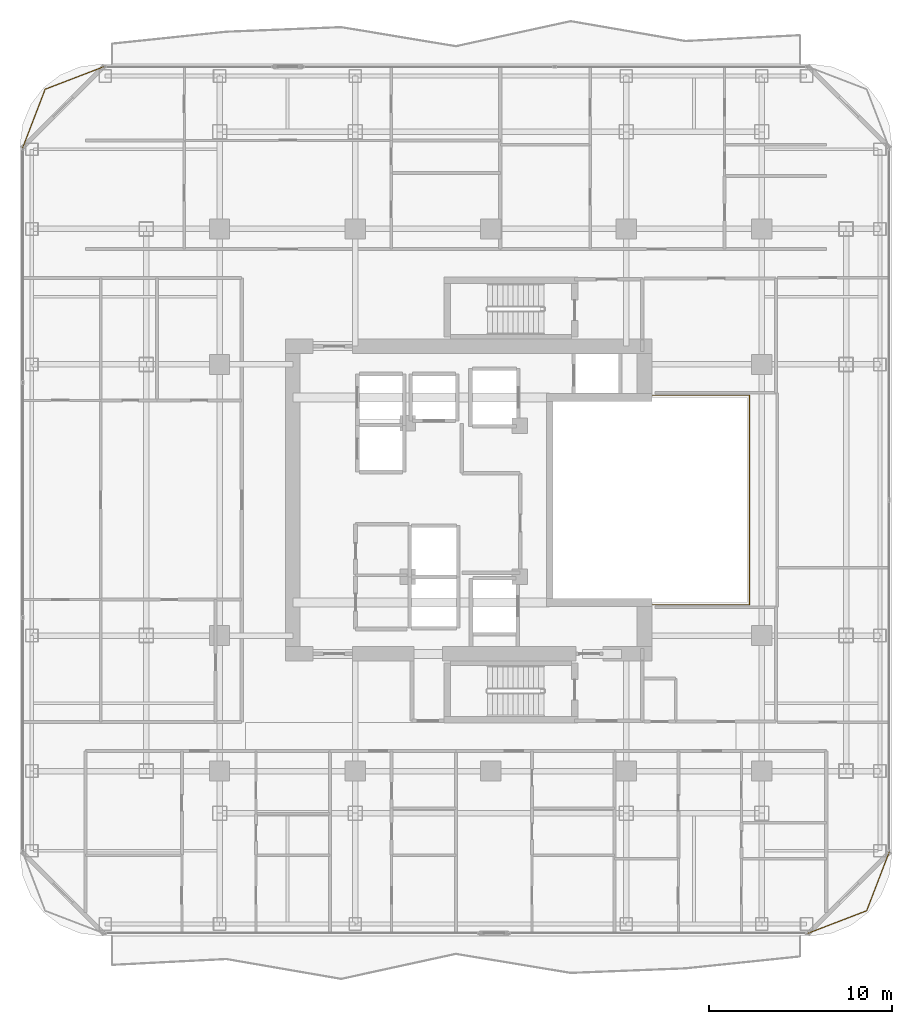
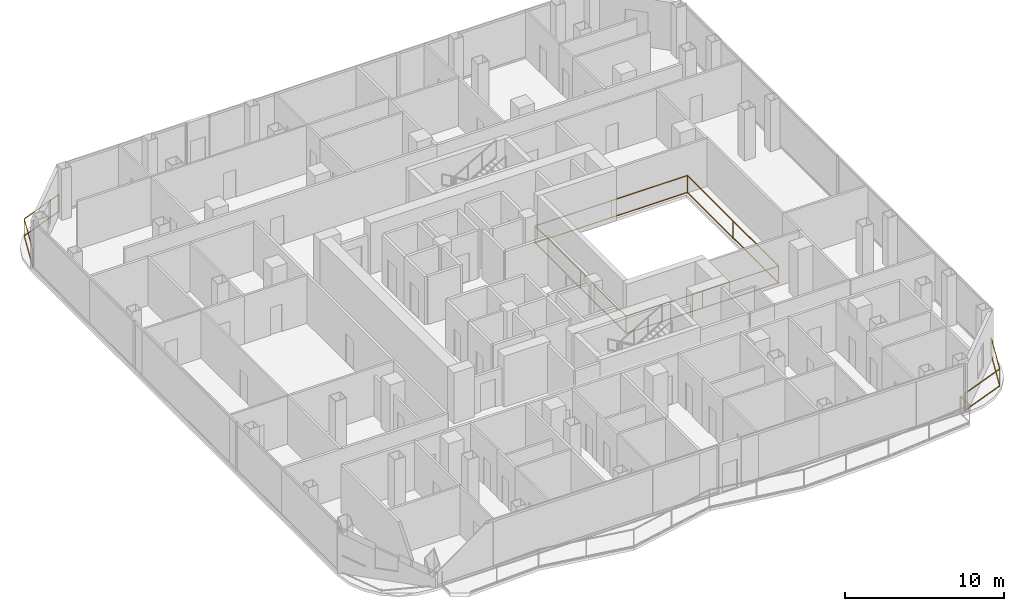
# One storey, part 24 of 25: 3 railings.
"""IFC4 building model written with IfcOpenShell, lengths in metres."""

from ifc_helpers import new_model, si_unit, direction, frame, origin, origin_2d, place, context, subcontext, project, spatial, rectangle, extrude, material, type_object, element, save


model = new_model("IFC4")

# Units and contexts
model_context = context("Model", 3, precision=1e-05, world=origin(), true_north=direction((0.0, 1.0)))
body_context = subcontext(model_context, "Body", "Model", "MODEL_VIEW")
ifc_project = project(units=[si_unit("LENGTHUNIT", "METRE"), si_unit("AREAUNIT", "SQUARE_METRE"), si_unit("VOLUMEUNIT", "CUBIC_METRE"), si_unit("PLANEANGLEUNIT", "RADIAN"), si_unit("MASSUNIT", "GRAM", prefix="KILO")], contexts=[model_context])

# Site, building, storey
site_placement = place(None, origin())
site = spatial("IfcSite", under=ifc_project, at=site_placement, CompositionType="ELEMENT")
building_placement = place(site_placement, origin())
building = spatial("IfcBuilding", under=site, at=building_placement, Name="Khorvyn Point Tower", CompositionType="ELEMENT")
storey_placement = place(building_placement, frame((0.0, 0.0, 171.89990234375)))
storey = spatial("IfcBuildingStorey", under=building, at=storey_placement, Name="L42", CompositionType="ELEMENT", Elevation=171.89990234375)

# Railings
ifc_material_1 = material(Name="Stainless steel 1.4401 and laminated glass", Category="steel")
railing_type_1 = type_object("IfcRailingType", Name="Crystal Atrium Smoke-Rated Perimeter Guardrail 1400", PredefinedType="GUARDRAIL", material=ifc_material_1)
railing_1_placement = place(storey_placement, frame((3.080078125, -5.719970703125, 0.0)))
element("IfcRailing", 1, at=railing_1_placement, inside=storey, type_object=railing_type_1, Name="L42 Crystal Atrium Perimeter Guardrail", PredefinedType="GUARDRAIL", context=body_context, shape_type="SweptSolid", body=[
    extrude(rectangle(XDim=0.048095703125, YDim=0.048095703125, at=origin_2d()), frame((0.0, 0.0, 1.3759765625), z_axis=(1.0, 0.0, 0.0), x_axis=(0.0, 1.0, 0.0)), (0.0, 0.0, 1.0), 11.0400390625),
    extrude(rectangle(XDim=0.048095703125, YDim=0.048095703125, at=origin_2d()), frame((0.0, 0.0, 0.080078125), z_axis=(1.0, 0.0, 0.0), x_axis=(0.0, 1.0, 0.0)), (0.0, 0.0, 1.0), 11.0400390625),
    extrude(rectangle(XDim=0.048095703125, YDim=0.048095703125, at=origin_2d()), frame((11.0400390625, 0.0, 1.3759765625), z_axis=(0.0, 1.0, 0.0), x_axis=(-1.0, 0.0, 0.0)), (0.0, 0.0, 1.0), 11.43994140625),
    extrude(rectangle(XDim=0.048095703125, YDim=0.048095703125, at=origin_2d()), frame((11.0400390625, 0.0, 0.080078125), z_axis=(0.0, 1.0, 0.0), x_axis=(-1.0, 0.0, 0.0)), (0.0, 0.0, 1.0), 11.43994140625),
    extrude(rectangle(XDim=0.048095703125, YDim=0.048095703125, at=origin_2d()), frame((11.0400390625, 11.43994140625, 1.3759765625), z_axis=(-1.0, 0.0, 0.0), x_axis=(0.0, -1.0, 0.0)), (0.0, 0.0, 1.0), 11.0400390625),
    extrude(rectangle(XDim=0.048095703125, YDim=0.048095703125, at=origin_2d()), frame((11.0400390625, 11.43994140625, 0.080078125), z_axis=(-1.0, 0.0, 0.0), x_axis=(0.0, -1.0, 0.0)), (0.0, 0.0, 1.0), 11.0400390625),
    extrude(rectangle(XDim=0.048095703125, YDim=0.048095703125, at=origin_2d()), frame((0.0, 11.43994140625, 1.3759765625), z_axis=(0.0, -1.0, 0.0), x_axis=(1.0, 0.0, 0.0)), (0.0, 0.0, 1.0), 11.409912109375),
    extrude(rectangle(XDim=0.048095703125, YDim=0.048095703125, at=origin_2d()), frame((0.0, 11.43994140625, 0.080078125), z_axis=(0.0, -1.0, 0.0), x_axis=(1.0, 0.0, 0.0)), (0.0, 0.0, 1.0), 11.409912109375),
    extrude(rectangle(XDim=0.0419921875, YDim=0.0419921875, at=origin_2d()), origin(), (0.0, 0.0, 1.0), 1.351806640625),
    extrude(rectangle(XDim=0.0419921875, YDim=0.0419921875, at=origin_2d()), frame((5.52001953125, 0.0, 0.0)), (0.0, 0.0, 1.0), 1.351806640625),
    extrude(rectangle(XDim=0.0419921875, YDim=0.0419921875, at=origin_2d()), frame((11.0400390625, 0.0, 0.0)), (0.0, 0.0, 1.0), 1.351806640625),
    extrude(rectangle(XDim=0.0419921875, YDim=0.0419921875, at=origin_2d()), frame((11.0400390625, 5.719970703125, 0.0)), (0.0, 0.0, 1.0), 1.351806640625),
    extrude(rectangle(XDim=0.0419921875, YDim=0.0419921875, at=origin_2d()), frame((11.0400390625, 11.43994140625, 0.0)), (0.0, 0.0, 1.0), 1.351806640625),
    extrude(rectangle(XDim=0.0419921875, YDim=0.0419921875, at=origin_2d()), frame((5.52001953125, 11.43994140625, 0.0)), (0.0, 0.0, 1.0), 1.351806640625),
    extrude(rectangle(XDim=0.0419921875, YDim=0.0419921875, at=origin_2d()), frame((0.0, 11.43994140625, 0.0)), (0.0, 0.0, 1.0), 1.351806640625),
    extrude(rectangle(XDim=0.0419921875, YDim=0.0419921875, at=origin_2d()), frame((0.0, 5.73486328125, 0.0)), (0.0, 0.0, 1.0), 1.351806640625),
    extrude(rectangle(XDim=0.0419921875, YDim=0.0419921875, at=origin_2d()), frame((0.0, 0.030029296875, 0.0)), (0.0, 0.0, 1.0), 1.351806640625),
])
ifc_material_2 = material(Name="Anodised aluminium 6063-T6 and laminated safety glass", Category="aluminium")
railing_type_2 = type_object("IfcRailingType", Name="Laminated Glass and Aluminium Balcony Guardrail 1400", PredefinedType="BALUSTRADE", material=ifc_material_2)
railing_2_placement = place(storey_placement, frame((-21.075927734375, 23.674072265625, 0.0)))
element("IfcRailing", 2, at=railing_2_placement, inside=storey, type_object=railing_type_2, Name="L42 Rounded Corner Edge Guardrail NW", PredefinedType="BALUSTRADE", context=body_context, shape_type="SweptSolid", body=[
    extrude(rectangle(XDim=0.048095703125, YDim=0.048095703125, at=origin_2d()), frame((0.0, 0.0, 1.3759765625), z_axis=(-0.933598390295, -0.358321148746, 0.0), x_axis=(0.358321148746, -0.933598390295, 0.0)), (0.0, 0.0, 1.0), 3.481689453125),
    extrude(rectangle(XDim=0.048095703125, YDim=0.048095703125, at=origin_2d()), frame((0.0, 0.0, 0.080078125), z_axis=(-0.933598390295, -0.358321148746, 0.0), x_axis=(0.358321148746, -0.933598390295, 0.0)), (0.0, 0.0, 1.0), 3.481689453125),
    extrude(rectangle(XDim=0.048095703125, YDim=0.048095703125, at=origin_2d()), frame((-3.25048828125, -1.24755859375, 1.3759765625), z_axis=(-0.358382264808, -0.933574931257, 0.0), x_axis=(0.933574931257, -0.358382264808, 0.0)), (0.0, 0.0, 1.0), 3.481689453125),
    extrude(rectangle(XDim=0.048095703125, YDim=0.048095703125, at=origin_2d()), frame((-3.25048828125, -1.24755859375, 0.080078125), z_axis=(-0.358382264808, -0.933574931257, 0.0), x_axis=(0.933574931257, -0.358382264808, 0.0)), (0.0, 0.0, 1.0), 3.481689453125),
    extrude(rectangle(XDim=0.0419921875, YDim=0.0419921875, at=origin_2d()), origin(), (0.0, 0.0, 1.0), 1.351806640625),
    extrude(rectangle(XDim=0.0419921875, YDim=0.0419921875, at=origin_2d()), frame((-3.25048828125, -1.24755859375, 0.0)), (0.0, 0.0, 1.0), 1.351806640625),
    extrude(rectangle(XDim=0.0419921875, YDim=0.0419921875, at=origin_2d()), frame((-4.498291015625, -4.498046875, 0.0)), (0.0, 0.0, 1.0), 1.351806640625),
])
railing_3_placement = place(storey_placement, frame((17.27587890625, -23.674072265625, 0.0)))
element("IfcRailing", 3, at=railing_3_placement, inside=storey, type_object=railing_type_2, Name="L42 Rounded Corner Edge Guardrail SE", PredefinedType="BALUSTRADE", context=body_context, shape_type="SweptSolid", body=[
    extrude(rectangle(XDim=0.048095703125, YDim=0.048095703125, at=origin_2d()), frame((0.0, 0.0, 1.3759765625), z_axis=(0.933598390295, 0.358321148746, 0.0), x_axis=(-0.358321148746, 0.933598390295, 0.0)), (0.0, 0.0, 1.0), 3.481689453125),
    extrude(rectangle(XDim=0.048095703125, YDim=0.048095703125, at=origin_2d()), frame((0.0, 0.0, 0.080078125), z_axis=(0.933598390295, 0.358321148746, 0.0), x_axis=(-0.358321148746, 0.933598390295, 0.0)), (0.0, 0.0, 1.0), 3.481689453125),
    extrude(rectangle(XDim=0.048095703125, YDim=0.048095703125, at=origin_2d()), frame((3.25048828125, 1.24755859375, 1.3759765625), z_axis=(0.358382264808, 0.933574931257, 0.0), x_axis=(-0.933574931257, 0.358382264808, 0.0)), (0.0, 0.0, 1.0), 3.481689453125),
    extrude(rectangle(XDim=0.048095703125, YDim=0.048095703125, at=origin_2d()), frame((3.25048828125, 1.24755859375, 0.080078125), z_axis=(0.358382264808, 0.933574931257, 0.0), x_axis=(-0.933574931257, 0.358382264808, 0.0)), (0.0, 0.0, 1.0), 3.481689453125),
    extrude(rectangle(XDim=0.0419921875, YDim=0.0419921875, at=origin_2d()), origin(), (0.0, 0.0, 1.0), 1.351806640625),
    extrude(rectangle(XDim=0.0419921875, YDim=0.0419921875, at=origin_2d()), frame((3.25048828125, 1.24755859375, 0.0)), (0.0, 0.0, 1.0), 1.351806640625),
    extrude(rectangle(XDim=0.0419921875, YDim=0.0419921875, at=origin_2d()), frame((4.498291015625, 4.498046875, 0.0)), (0.0, 0.0, 1.0), 1.351806640625),
])

save(model, "model.ifc")
